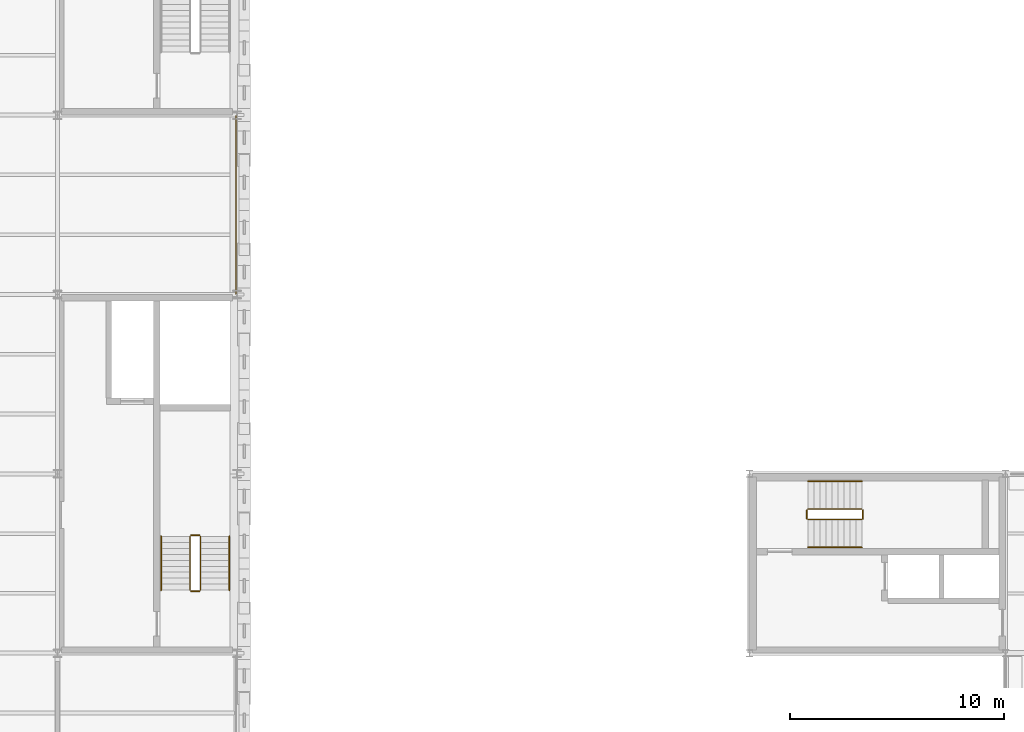
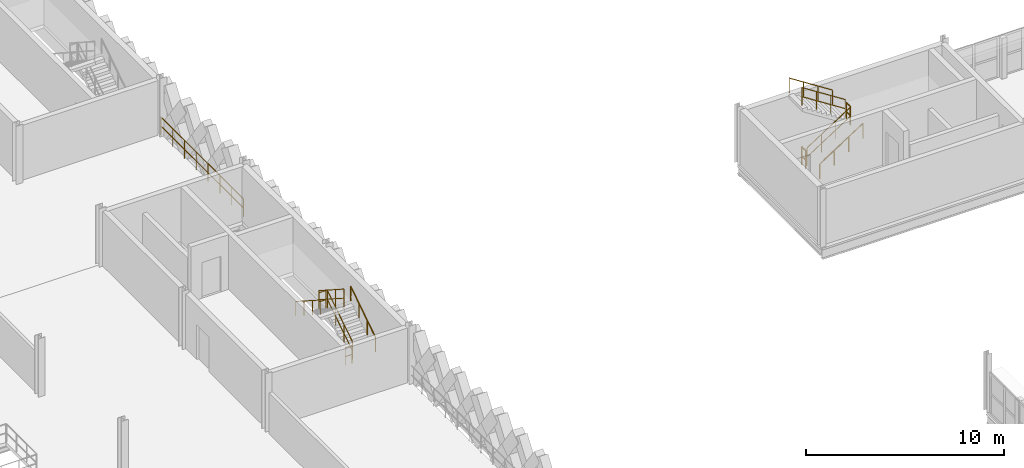
# One storey, part 73 of 79: 13 railings.
"""IFC4 building model written with IfcOpenShell, lengths in metres."""

from ifc_helpers import new_model, si_unit, direction, frame, origin, origin_2d, place, context, subcontext, project, spatial, circle, extrude, material, type_object, element, save


model = new_model("IFC4")

# Units and contexts
model_context = context("Model", 3, precision=1e-05, world=origin(), true_north=direction((0.0, 1.0)))
body_context = subcontext(model_context, "Body", "Model", "MODEL_VIEW")
ifc_project = project(units=[si_unit("LENGTHUNIT", "METRE"), si_unit("AREAUNIT", "SQUARE_METRE"), si_unit("VOLUMEUNIT", "CUBIC_METRE"), si_unit("PLANEANGLEUNIT", "RADIAN"), si_unit("MASSUNIT", "GRAM", prefix="KILO"), si_unit("THERMODYNAMICTEMPERATUREUNIT", "KELVIN"), si_unit("POWERUNIT", "WATT")], contexts=[model_context])

# Site, building, storey
site_placement = place(None, origin())
site = spatial("IfcSite", under=ifc_project, at=site_placement, CompositionType="ELEMENT")
building_placement = place(site_placement, origin())
building = spatial("IfcBuilding", under=site, at=building_placement, Name="Tembeka Court Mobility Hub", CompositionType="ELEMENT")
storey_placement = place(building_placement, frame((0.0, 0.0, 9.0)))
storey = spatial("IfcBuildingStorey", under=building, at=storey_placement, Name="L02", CompositionType="ELEMENT", Elevation=9.0)

# Railings
ifc_material_1 = material(Name="Painted galvanised steel balustrade", Category="steel")
railing_type_1 = type_object("IfcRailingType", Name="RL-GR01", PredefinedType="GUARDRAIL", material=ifc_material_1)
railing_1_placement = place(storey_placement, frame((90.699951171875, 41.35009765625, 0.179931640625)))
element("IfcRailing", 1, at=railing_1_placement, inside=storey, type_object=railing_type_1, Name="L02 ST04 stair guard 1-1", PredefinedType="GUARDRAIL", context=body_context, shape_type="SweptSolid", body=[
    extrude(circle(Radius=0.02392578125, at=origin_2d()), frame((0.0, 0.0, 1.09619140625), z_axis=(0.0, 0.841162588446, 0.540782303519), x_axis=(-1.0, 0.0, 0.0)), (0.0, 0.0, 1.0), 2.995849609375),
    extrude(circle(Radius=0.02392578125, at=origin_2d()), frame((0.0, 0.0, 0.5361328125), z_axis=(0.0, 0.841162588446, 0.540782303519), x_axis=(-1.0, 0.0, 0.0)), (0.0, 0.0, 1.0), 2.995849609375),
    extrude(circle(Radius=0.02099609375, at=origin_2d()), origin(), (0.0, 0.0, 1.0), 1.072021484375),
    extrude(circle(Radius=0.02099609375, at=origin_2d()), frame((0.0, 0.840087890625, 0.5400390625)), (0.0, 0.0, 1.0), 1.072021484375),
    extrude(circle(Radius=0.02099609375, at=origin_2d()), frame((0.0, 1.679931640625, 1.080078125)), (0.0, 0.0, 1.0), 1.072021484375),
    extrude(circle(Radius=0.02099609375, at=origin_2d()), frame((0.0, 2.52001953125, 1.6201171875)), (0.0, 0.0, 1.0), 1.072021484375),
])
railing_2_placement = place(storey_placement, frame((90.64990234375, 43.919921875, 1.800048828125)))
element("IfcRailing", 2, at=railing_2_placement, inside=storey, type_object=railing_type_1, Name="L02 ST04 stair guard 2-1", PredefinedType="GUARDRAIL", context=body_context, shape_type="SweptSolid", body=[
    extrude(circle(Radius=0.02392578125, at=origin_2d()), frame((0.0, 0.0, 1.09619140625), z_axis=(-1.0, 0.0, 0.0), x_axis=(0.0, -1.0, 0.0)), (0.0, 0.0, 1.0), 0.39990234375),
    extrude(circle(Radius=0.02392578125, at=origin_2d()), frame((0.0, 0.0, 0.5361328125), z_axis=(-1.0, 0.0, 0.0), x_axis=(0.0, -1.0, 0.0)), (0.0, 0.0, 1.0), 0.39990234375),
    extrude(circle(Radius=0.02099609375, at=origin_2d()), origin(), (0.0, 0.0, 1.0), 1.072021484375),
    extrude(circle(Radius=0.02099609375, at=origin_2d()), frame((-0.39990234375, 0.0, 0.0)), (0.0, 0.0, 1.0), 1.072021484375),
])
railing_3_placement = place(storey_placement, frame((90.199951171875, 43.8701171875, 1.97998046875)))
element("IfcRailing", 3, at=railing_3_placement, inside=storey, type_object=railing_type_1, Name="L02 ST04 stair guard 3-1", PredefinedType="GUARDRAIL", context=body_context, shape_type="SweptSolid", body=[
    extrude(circle(Radius=0.02392578125, at=origin_2d()), frame((0.0, 0.0, 1.09619140625), z_axis=(0.0, -0.841162588446, 0.540782303519), x_axis=(1.0, 0.0, 0.0)), (0.0, 0.0, 1.0), 2.995849609375),
    extrude(circle(Radius=0.02392578125, at=origin_2d()), frame((0.0, 0.0, 0.5361328125), z_axis=(0.0, -0.841162588446, 0.540782303519), x_axis=(1.0, 0.0, 0.0)), (0.0, 0.0, 1.0), 2.995849609375),
    extrude(circle(Radius=0.02099609375, at=origin_2d()), origin(), (0.0, 0.0, 1.0), 1.072021484375),
    extrude(circle(Radius=0.02099609375, at=origin_2d()), frame((0.0, -0.840087890625, 0.5400390625)), (0.0, 0.0, 1.0), 1.072021484375),
    extrude(circle(Radius=0.02099609375, at=origin_2d()), frame((0.0, -1.679931640625, 1.080078125)), (0.0, 0.0, 1.0), 1.072021484375),
    extrude(circle(Radius=0.02099609375, at=origin_2d()), frame((0.0, -2.52001953125, 1.6201171875)), (0.0, 0.0, 1.0), 1.072021484375),
])
railing_4_placement = place(storey_placement, frame((90.64990234375, 41.300048828125, 0.0)))
element("IfcRailing", 4, at=railing_4_placement, inside=storey, type_object=railing_type_1, Name="L02 ST04 stair guard 4-1", PredefinedType="GUARDRAIL", context=body_context, shape_type="SweptSolid", body=[
    extrude(circle(Radius=0.02392578125, at=origin_2d()), frame((0.0, 0.0, 1.09619140625), z_axis=(-1.0, 0.0, 0.0), x_axis=(0.0, -1.0, 0.0)), (0.0, 0.0, 1.0), 0.39990234375),
    extrude(circle(Radius=0.02392578125, at=origin_2d()), frame((0.0, 0.0, 0.5361328125), z_axis=(-1.0, 0.0, 0.0), x_axis=(0.0, -1.0, 0.0)), (0.0, 0.0, 1.0), 0.39990234375),
    extrude(circle(Radius=0.02099609375, at=origin_2d()), origin(), (0.0, 0.0, 1.0), 1.072021484375),
    extrude(circle(Radius=0.02099609375, at=origin_2d()), frame((-0.39990234375, 0.0, 0.0)), (0.0, 0.0, 1.0), 1.072021484375),
])
railing_5_placement = place(storey_placement, frame((119.14990234375, 44.64990234375, 0.179931640625)))
element("IfcRailing", 5, at=railing_5_placement, inside=storey, type_object=railing_type_1, Name="L02 ST05 stair guard 1-1", PredefinedType="GUARDRAIL", context=body_context, shape_type="SweptSolid", body=[
    extrude(circle(Radius=0.02392578125, at=origin_2d()), frame((0.0, 0.0, 1.09619140625), z_axis=(0.841162588446, 0.0, 0.540782303519), x_axis=(0.0, 1.0, 0.0)), (0.0, 0.0, 1.0), 2.995849609375),
    extrude(circle(Radius=0.02392578125, at=origin_2d()), frame((0.0, 0.0, 0.5361328125), z_axis=(0.841162588446, 0.0, 0.540782303519), x_axis=(0.0, 1.0, 0.0)), (0.0, 0.0, 1.0), 2.995849609375),
    extrude(circle(Radius=0.02099609375, at=origin_2d()), origin(), (0.0, 0.0, 1.0), 1.072021484375),
    extrude(circle(Radius=0.02099609375, at=origin_2d()), frame((0.840087890625, 0.0, 0.5400390625)), (0.0, 0.0, 1.0), 1.072021484375),
    extrude(circle(Radius=0.02099609375, at=origin_2d()), frame((1.679931640625, 0.0, 1.080078125)), (0.0, 0.0, 1.0), 1.072021484375),
    extrude(circle(Radius=0.02099609375, at=origin_2d()), frame((2.52001953125, 0.0, 1.6201171875)), (0.0, 0.0, 1.0), 1.072021484375),
])
railing_6_placement = place(storey_placement, frame((121.719970703125, 44.699951171875, 1.800048828125)))
element("IfcRailing", 6, at=railing_6_placement, inside=storey, type_object=railing_type_1, Name="L02 ST05 stair guard 2-1", PredefinedType="GUARDRAIL", context=body_context, shape_type="SweptSolid", body=[
    extrude(circle(Radius=0.02392578125, at=origin_2d()), frame((0.0, 0.0, 1.09619140625), z_axis=(0.0, 1.0, 0.0), x_axis=(-1.0, 0.0, 0.0)), (0.0, 0.0, 1.0), 0.400146484375),
    extrude(circle(Radius=0.02392578125, at=origin_2d()), frame((0.0, 0.0, 0.5361328125), z_axis=(0.0, 1.0, 0.0), x_axis=(-1.0, 0.0, 0.0)), (0.0, 0.0, 1.0), 0.400146484375),
    extrude(circle(Radius=0.02099609375, at=origin_2d()), origin(), (0.0, 0.0, 1.0), 1.072021484375),
    extrude(circle(Radius=0.02099609375, at=origin_2d()), frame((0.0, 0.400146484375, 0.0)), (0.0, 0.0, 1.0), 1.072021484375),
])
railing_7_placement = place(storey_placement, frame((121.669921875, 45.14990234375, 1.97998046875)))
element("IfcRailing", 7, at=railing_7_placement, inside=storey, type_object=railing_type_1, Name="L02 ST05 stair guard 3-1", PredefinedType="GUARDRAIL", context=body_context, shape_type="SweptSolid", body=[
    extrude(circle(Radius=0.02392578125, at=origin_2d()), frame((0.0, 0.0, 1.09619140625), z_axis=(-0.841162588446, 0.0, 0.540782303519), x_axis=(0.0, -1.0, 0.0)), (0.0, 0.0, 1.0), 2.995849609375),
    extrude(circle(Radius=0.02392578125, at=origin_2d()), frame((0.0, 0.0, 0.5361328125), z_axis=(-0.841162588446, 0.0, 0.540782303519), x_axis=(0.0, -1.0, 0.0)), (0.0, 0.0, 1.0), 2.995849609375),
    extrude(circle(Radius=0.02099609375, at=origin_2d()), origin(), (0.0, 0.0, 1.0), 1.072021484375),
    extrude(circle(Radius=0.02099609375, at=origin_2d()), frame((-0.840087890625, 0.0, 0.5400390625)), (0.0, 0.0, 1.0), 1.072021484375),
    extrude(circle(Radius=0.02099609375, at=origin_2d()), frame((-1.679931640625, 0.0, 1.080078125)), (0.0, 0.0, 1.0), 1.072021484375),
    extrude(circle(Radius=0.02099609375, at=origin_2d()), frame((-2.52001953125, 0.0, 1.6201171875)), (0.0, 0.0, 1.0), 1.072021484375),
])
railing_8_placement = place(storey_placement, frame((119.10009765625, 44.699951171875, 0.0)))
element("IfcRailing", 8, at=railing_8_placement, inside=storey, type_object=railing_type_1, Name="L02 ST05 stair guard 4-1", PredefinedType="GUARDRAIL", context=body_context, shape_type="SweptSolid", body=[
    extrude(circle(Radius=0.02392578125, at=origin_2d()), frame((0.0, 0.0, 1.09619140625), z_axis=(0.0, 1.0, 0.0), x_axis=(-1.0, 0.0, 0.0)), (0.0, 0.0, 1.0), 0.400146484375),
    extrude(circle(Radius=0.02392578125, at=origin_2d()), frame((0.0, 0.0, 0.5361328125), z_axis=(0.0, 1.0, 0.0), x_axis=(-1.0, 0.0, 0.0)), (0.0, 0.0, 1.0), 0.400146484375),
    extrude(circle(Radius=0.02099609375, at=origin_2d()), origin(), (0.0, 0.0, 1.0), 1.072021484375),
    extrude(circle(Radius=0.02099609375, at=origin_2d()), frame((0.0, 0.400146484375, 0.0)), (0.0, 0.0, 1.0), 1.072021484375),
])
railing_type_2 = type_object("IfcRailingType", Name="RL-GR02", PredefinedType="GUARDRAIL", material=ifc_material_1)
railing_9_placement = place(storey_placement, frame((92.35009765625, 55.22998046875, 0.0)))
element("IfcRailing", 9, at=railing_9_placement, inside=storey, type_object=railing_type_2, Name="Perimeter guard GR02-0097", PredefinedType="GUARDRAIL", context=body_context, shape_type="SweptSolid", body=[
    extrude(circle(Radius=0.02392578125, at=origin_2d()), frame((0.0, 0.0, 1.09619140625), z_axis=(0.0, 1.0, 0.0), x_axis=(-1.0, 0.0, 0.0)), (0.0, 0.0, 1.0), 8.340087890625),
    extrude(circle(Radius=0.02392578125, at=origin_2d()), frame((0.0, 0.0, 0.5361328125), z_axis=(0.0, 1.0, 0.0), x_axis=(-1.0, 0.0, 0.0)), (0.0, 0.0, 1.0), 8.340087890625),
    extrude(circle(Radius=0.02099609375, at=origin_2d()), origin(), (0.0, 0.0, 1.0), 1.072021484375),
    extrude(circle(Radius=0.02099609375, at=origin_2d()), frame((0.0, 1.19140625, 0.0)), (0.0, 0.0, 1.0), 1.072021484375),
    extrude(circle(Radius=0.02099609375, at=origin_2d()), frame((0.0, 2.3828125, 0.0)), (0.0, 0.0, 1.0), 1.072021484375),
    extrude(circle(Radius=0.02099609375, at=origin_2d()), frame((0.0, 3.57421875, 0.0)), (0.0, 0.0, 1.0), 1.072021484375),
    extrude(circle(Radius=0.02099609375, at=origin_2d()), frame((0.0, 4.765869140625, 0.0)), (0.0, 0.0, 1.0), 1.072021484375),
    extrude(circle(Radius=0.02099609375, at=origin_2d()), frame((0.0, 5.957275390625, 0.0)), (0.0, 0.0, 1.0), 1.072021484375),
    extrude(circle(Radius=0.02099609375, at=origin_2d()), frame((0.0, 7.148681640625, 0.0)), (0.0, 0.0, 1.0), 1.072021484375),
    extrude(circle(Radius=0.02099609375, at=origin_2d()), frame((0.0, 8.340087890625, 0.0)), (0.0, 0.0, 1.0), 1.072021484375),
])
ifc_material_2 = material(Name="Brushed stainless steel handrail", Category="steel")
railing_type_3 = type_object("IfcRailingType", Name="RL-HR01", PredefinedType="HANDRAIL", material=ifc_material_2)
railing_10_placement = place(storey_placement, frame((92.050048828125, 41.35009765625, 0.179931640625)))
element("IfcRailing", 10, at=railing_10_placement, inside=storey, type_object=railing_type_3, Name="L02 ST04 handrail 1-1", PredefinedType="HANDRAIL", context=body_context, shape_type="SweptSolid", body=[
    extrude(circle(Radius=0.02392578125, at=origin_2d()), frame((0.0, 0.0, 0.89599609375), z_axis=(0.0, 0.841162588446, 0.540782303519), x_axis=(-1.0, 0.0, 0.0)), (0.0, 0.0, 1.0), 2.995849609375),
    extrude(circle(Radius=0.02099609375, at=origin_2d()), origin(), (0.0, 0.0, 1.0), 0.871826171875),
    extrude(circle(Radius=0.02099609375, at=origin_2d()), frame((0.0, 0.840087890625, 0.5400390625)), (0.0, 0.0, 1.0), 0.871826171875),
    extrude(circle(Radius=0.02099609375, at=origin_2d()), frame((0.0, 1.679931640625, 1.080078125)), (0.0, 0.0, 1.0), 0.871826171875),
    extrude(circle(Radius=0.02099609375, at=origin_2d()), frame((0.0, 2.52001953125, 1.6201171875)), (0.0, 0.0, 1.0), 0.871826171875),
])
railing_11_placement = place(storey_placement, frame((88.85009765625, 43.8701171875, 1.97998046875)))
element("IfcRailing", 11, at=railing_11_placement, inside=storey, type_object=railing_type_3, Name="L02 ST04 handrail 2-1", PredefinedType="HANDRAIL", context=body_context, shape_type="SweptSolid", body=[
    extrude(circle(Radius=0.02392578125, at=origin_2d()), frame((0.0, 0.0, 0.89599609375), z_axis=(0.0, -0.841162588446, 0.540782303519), x_axis=(1.0, 0.0, 0.0)), (0.0, 0.0, 1.0), 2.995849609375),
    extrude(circle(Radius=0.02099609375, at=origin_2d()), origin(), (0.0, 0.0, 1.0), 0.871826171875),
    extrude(circle(Radius=0.02099609375, at=origin_2d()), frame((0.0, -0.840087890625, 0.5400390625)), (0.0, 0.0, 1.0), 0.871826171875),
    extrude(circle(Radius=0.02099609375, at=origin_2d()), frame((0.0, -1.679931640625, 1.080078125)), (0.0, 0.0, 1.0), 0.871826171875),
    extrude(circle(Radius=0.02099609375, at=origin_2d()), frame((0.0, -2.52001953125, 1.6201171875)), (0.0, 0.0, 1.0), 0.871826171875),
])
railing_12_placement = place(storey_placement, frame((119.14990234375, 43.35009765625, 0.179931640625)))
element("IfcRailing", 12, at=railing_12_placement, inside=storey, type_object=railing_type_3, Name="L02 ST05 handrail 1-1", PredefinedType="HANDRAIL", context=body_context, shape_type="SweptSolid", body=[
    extrude(circle(Radius=0.02392578125, at=origin_2d()), frame((0.0, 0.0, 0.89599609375), z_axis=(0.841162588446, 0.0, 0.540782303519), x_axis=(0.0, 1.0, 0.0)), (0.0, 0.0, 1.0), 2.995849609375),
    extrude(circle(Radius=0.02099609375, at=origin_2d()), origin(), (0.0, 0.0, 1.0), 0.871826171875),
    extrude(circle(Radius=0.02099609375, at=origin_2d()), frame((0.840087890625, 0.0, 0.5400390625)), (0.0, 0.0, 1.0), 0.871826171875),
    extrude(circle(Radius=0.02099609375, at=origin_2d()), frame((1.679931640625, 0.0, 1.080078125)), (0.0, 0.0, 1.0), 0.871826171875),
    extrude(circle(Radius=0.02099609375, at=origin_2d()), frame((2.52001953125, 0.0, 1.6201171875)), (0.0, 0.0, 1.0), 0.871826171875),
])
railing_13_placement = place(storey_placement, frame((121.669921875, 46.449951171875, 1.97998046875)))
element("IfcRailing", 13, at=railing_13_placement, inside=storey, type_object=railing_type_3, Name="L02 ST05 handrail 2-1", PredefinedType="HANDRAIL", context=body_context, shape_type="SweptSolid", body=[
    extrude(circle(Radius=0.02392578125, at=origin_2d()), frame((0.0, 0.0, 0.89599609375), z_axis=(-0.841162588446, 0.0, 0.540782303519), x_axis=(0.0, -1.0, 0.0)), (0.0, 0.0, 1.0), 2.995849609375),
    extrude(circle(Radius=0.02099609375, at=origin_2d()), origin(), (0.0, 0.0, 1.0), 0.871826171875),
    extrude(circle(Radius=0.02099609375, at=origin_2d()), frame((-0.840087890625, 0.0, 0.5400390625)), (0.0, 0.0, 1.0), 0.871826171875),
    extrude(circle(Radius=0.02099609375, at=origin_2d()), frame((-1.679931640625, 0.0, 1.080078125)), (0.0, 0.0, 1.0), 0.871826171875),
    extrude(circle(Radius=0.02099609375, at=origin_2d()), frame((-2.52001953125, 0.0, 1.6201171875)), (0.0, 0.0, 1.0), 0.871826171875),
])

save(model, "model.ifc")
